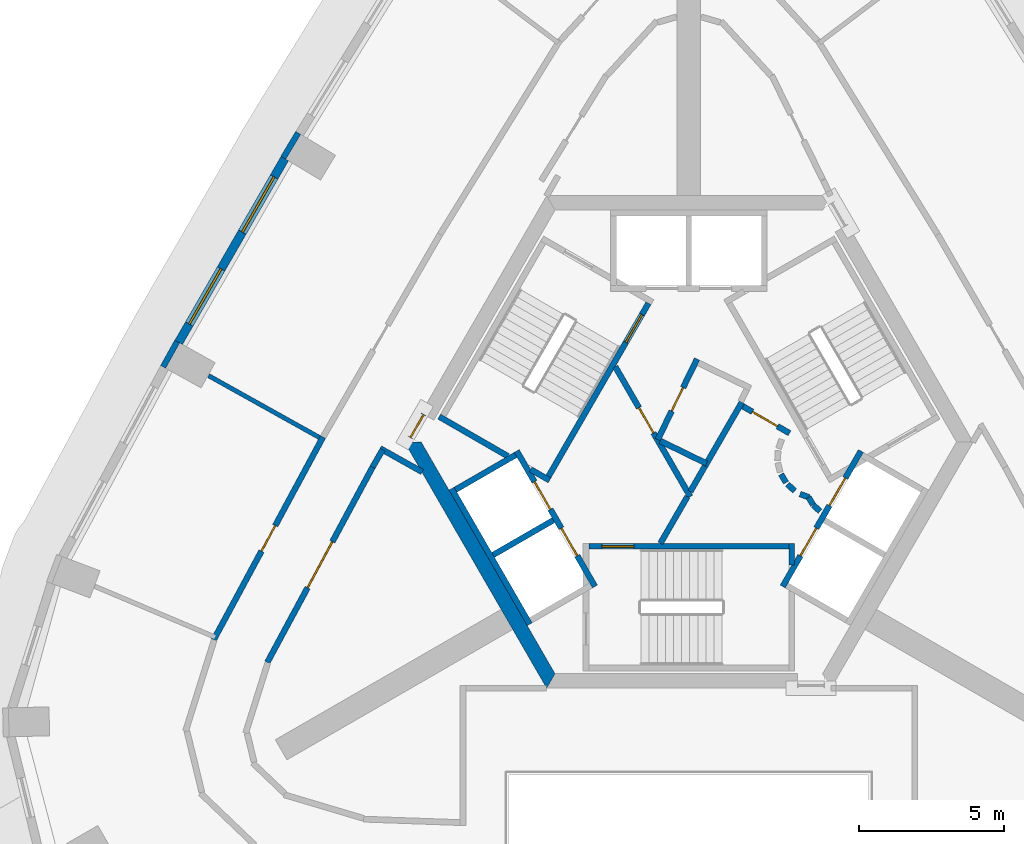
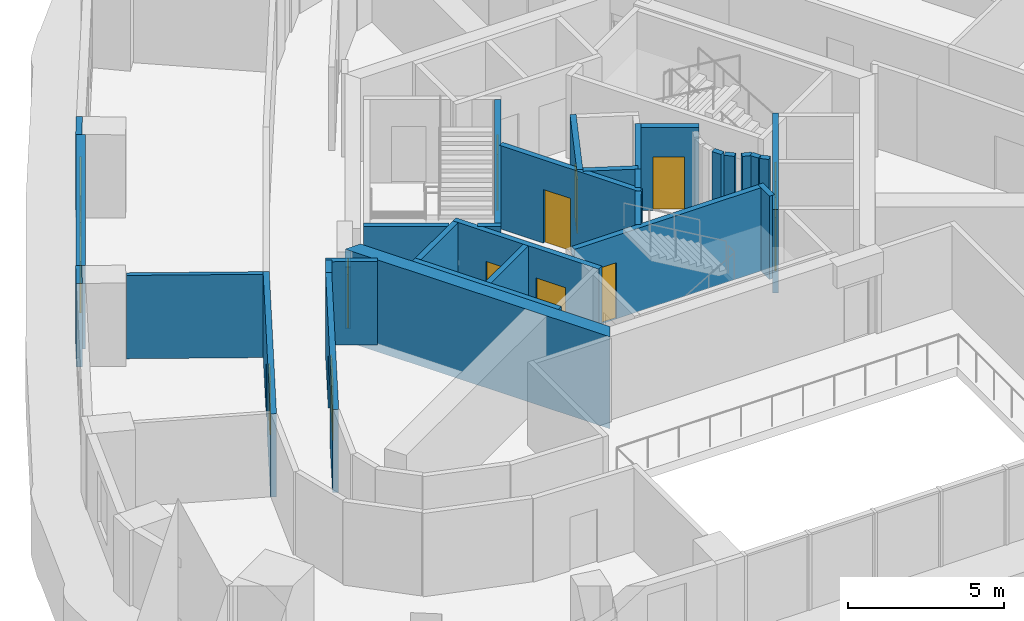
# One storey, part 4 of 11: 32 walls, 12 doors, 2 windows, 14 openings.
"""IFC4 building model written with IfcOpenShell, lengths in metres."""

from ifc_helpers import new_model, si_unit, direction, frame, frame_2d, origin, place, context, subcontext, project, spatial, polyline, rectangle, outline, extrude, material, layer, layer_set, type_object, element, fill, save


model = new_model("IFC4")

# Units and contexts
model_context = context("Model", 3, precision=1e-05, world=origin(), true_north=direction((0.0, 1.0)))
body_context = subcontext(model_context, "Body", "Model", "MODEL_VIEW")
ifc_project = project(units=[si_unit("LENGTHUNIT", "METRE"), si_unit("AREAUNIT", "SQUARE_METRE"), si_unit("VOLUMEUNIT", "CUBIC_METRE"), si_unit("PLANEANGLEUNIT", "RADIAN"), si_unit("MASSUNIT", "GRAM", prefix="KILO")], contexts=[model_context])

# Site, building, storey
site_placement = place(None, origin())
site = spatial("IfcSite", under=ifc_project, at=site_placement, CompositionType="ELEMENT")
building_placement = place(site_placement, origin())
building = spatial("IfcBuilding", under=site, at=building_placement, Name="Entoto Arch Interchange Tower", CompositionType="ELEMENT")
storey_placement = place(building_placement, frame((0.0, 0.0, 308.0)))
storey = spatial("IfcBuildingStorey", under=building, at=storey_placement, Name="L72", CompositionType="ELEMENT", Elevation=308.0)

# Wall, opening, door
ifc_material_1 = material(Name="Reinforced concrete C40/50", Category="concrete")
ifc_layer_1 = layer(ifc_material_1, 0.199951171875)
ifc_layer_set_1 = layer_set([ifc_layer_1], Name="Reinforced concrete C40/50")
wall_type_1 = type_object("IfcWallType", Name="CORE GAP INFILL WALL", PredefinedType="PARTITIONING", material=ifc_layer_set_1)
wall_1_placement = place(storey_placement, frame((-9.14990234375, 3.451904296875, 0.0), z_axis=(0.0, 0.0, 1.0), x_axis=(-0.500079945886, -0.865979242085, 0.0)))
wall_1 = element("IfcWall", 1, at=wall_1_placement, inside=storey, type_object=wall_type_1, Name="wall:L72:gap3", PredefinedType="PARTITIONING", context=body_context, shape_type="SweptSolid", body=[
    extrude(rectangle(XDim=0.926025390625, YDim=0.199951171875, at=frame_2d((0.462890625, 0.0))), origin(), (0.0, 0.0, 1.0), 2.39990234375),
])
opening_1_placement = place(wall_1_placement, frame((0.01708984375, 0.0, 0.0)))
opening_1 = element("IfcOpeningElement", 2, at=opening_1_placement, cuts=wall_1, Name="Opening L72-D93", PredefinedType="OPENING", context=body_context, shape_type="SweptSolid", body=[
    extrude(rectangle(XDim=0.89990234375, YDim=2.10009765625, at=frame_2d((0.449951171875, 1.050048828125))), frame((0.0, 0.10986328125, 0.0), z_axis=(0.0, -1.0, 0.0), x_axis=(1.0, 0.0, 0.0)), (0.0, 0.0, 1.0), 0.219970703125),
])
ifc_material_2 = material(Name="Fire-rated Steel S235 door and frame", Category="steel")
door_type_1 = type_object("IfcDoorType", Name="DOOR FD-09 900x2100", OperationType="SINGLE_SWING_LEFT", PredefinedType="DOOR", material=ifc_material_2)
door_1_placement = place(opening_1_placement, origin())
door_1 = element("IfcDoor", 3, at=door_1_placement, inside=storey, type_object=door_type_1, Name="door:L72:gap3", OperationType="SINGLE_SWING_LEFT", OverallHeight=2.10009765625, OverallWidth=0.89990234375, PredefinedType="DOOR", context=body_context, shape_type="SweptSolid", body=[
    extrude(rectangle(XDim=0.89990234375, YDim=2.10009765625, at=frame_2d((0.449951171875, 1.050048828125))), frame((0.0, 0.02490234375, 0.0), z_axis=(0.0, -1.0, 0.0), x_axis=(1.0, 0.0, 0.0)), (0.0, 0.0, 1.0), 0.050048828125),
])
fill(opening_1, door_1)

# Wall
ifc_material_3 = material(Name="Concrete C40/50", Category="concrete")
ifc_layer_2 = layer(ifc_material_3, 0.5)
ifc_layer_set_2 = layer_set([ifc_layer_2], Name="Concrete C40/50")
wall_type_2 = type_object("IfcWallType", Name="Core wall 500 C40/50", PredefinedType="SHEAR", material=ifc_layer_set_2)
wall_2_placement = place(storey_placement, frame((0.0, 0.0, -0.340087890625)))
element("IfcWall", 4, at=wall_2_placement, inside=storey, type_object=wall_type_2, Name="Core wall SW L72", PredefinedType="SHEAR", context=body_context, shape_type="SweptSolid", body=[
    extrude(outline(polyline([(-9.81494140625, 2.5), (-4.906982421875, -6.0), (-4.618896484375, -5.5), (-9.238037109375, 2.5), (-9.81494140625, 2.5)])), origin(), (0.0, 0.0, 1.0), 3.60009765625),
])

# Wall, openings, doors
ifc_layer_3 = layer(ifc_material_3, 0.199951171875)
ifc_layer_set_3 = layer_set([ifc_layer_3], Name="Concrete C40/50")
wall_type_3 = type_object("IfcWallType", Name="LIFT SHAFT WALL 200", PredefinedType="STANDARD", material=ifc_layer_set_3)
wall_3_placement = place(storey_placement, frame((-5.93994140625, 2.18798828125, 0.0), z_axis=(0.0, 0.0, 1.0), x_axis=(0.500034260056, -0.866005622828, 0.0)))
wall_3 = element("IfcWall", 5, at=wall_3_placement, inside=storey, type_object=wall_type_3, Name="Shaft wall SW1 front", PredefinedType="STANDARD", context=body_context, shape_type="SweptSolid", body=[
    extrude(rectangle(XDim=5.3994140625, YDim=0.199951171875, at=frame_2d((2.69970703125, 0.0))), origin(), (0.0, 0.0, 1.0), 3.260009765625),
])
opening_2_placement = place(wall_3_placement, frame((3.074951171875, 0.0, 0.0)))
opening_2 = element("IfcOpeningElement", 6, at=opening_2_placement, cuts=wall_3, Name="Opening LD-HR4-L72", PredefinedType="OPENING", context=body_context, shape_type="SweptSolid", body=[
    extrude(rectangle(XDim=1.10009765625, YDim=2.10009765625, at=frame_2d((0.550048828125, 1.050048828125))), frame((0.0, 0.10986328125, 0.0), z_axis=(0.0, -1.0, 0.0), x_axis=(1.0, 0.0, 0.0)), (0.0, 0.0, 1.0), 0.219970703125),
])
opening_3_placement = place(wall_3_placement, frame((1.22509765625, 0.0, 0.0)))
opening_3 = element("IfcOpeningElement", 7, at=opening_3_placement, cuts=wall_3, Name="Opening LD-FF2-L72", PredefinedType="OPENING", context=body_context, shape_type="SweptSolid", body=[
    extrude(rectangle(XDim=1.10009765625, YDim=2.10009765625, at=frame_2d((0.550048828125, 1.050048828125))), frame((0.0, 0.10986328125, 0.0), z_axis=(0.0, -1.0, 0.0), x_axis=(1.0, 0.0, 0.0)), (0.0, 0.0, 1.0), 0.219970703125),
])
ifc_material_4 = material(Name="Stainless steel 1.4301 panels", Category="steel")
door_type_2 = type_object("IfcDoorType", Name="LIFT LANDING DOOR LD1 1100x2100", OperationType="SLIDING_TO_LEFT", PredefinedType="DOOR", material=ifc_material_4)
door_2_placement = place(opening_2_placement, origin())
door_2 = element("IfcDoor", 8, at=door_2_placement, inside=storey, type_object=door_type_2, Name="Lift landing door HR4 L72", OperationType="SLIDING_TO_LEFT", OverallHeight=2.10009765625, OverallWidth=1.10009765625, PredefinedType="DOOR", context=body_context, shape_type="SweptSolid", body=[
    extrude(rectangle(XDim=1.10009765625, YDim=2.10009765625, at=frame_2d((0.550048828125, 1.050048828125))), frame((0.0, 0.02490234375, 0.0), z_axis=(0.0, -1.0, 0.0), x_axis=(1.0, 0.0, 0.0)), (0.0, 0.0, 1.0), 0.050048828125),
])
fill(opening_2, door_2)
door_3_placement = place(opening_3_placement, origin())
door_3 = element("IfcDoor", 9, at=door_3_placement, inside=storey, type_object=door_type_2, Name="Lift landing door FF2 L72", OperationType="SLIDING_TO_LEFT", OverallHeight=2.10009765625, OverallWidth=1.10009765625, PredefinedType="DOOR", context=body_context, shape_type="SweptSolid", body=[
    extrude(rectangle(XDim=1.10009765625, YDim=2.10009765625, at=frame_2d((0.550048828125, 1.050048828125))), frame((0.0, 0.02490234375, 0.0), z_axis=(0.0, -1.0, 0.0), x_axis=(1.0, 0.0, 0.0)), (0.0, 0.0, 1.0), 0.050048828125),
])
fill(opening_3, door_3)

# Walls
wall_4_placement = place(storey_placement, frame((-8.19189453125, 0.887939453125, 0.0), z_axis=(0.0, 0.0, 1.0), x_axis=(0.500034260056, -0.866005622828, 0.0)))
element("IfcWall", 10, at=wall_4_placement, inside=storey, type_object=wall_type_3, Name="Shaft wall SW1 back", PredefinedType="STANDARD", context=body_context, shape_type="SweptSolid", body=[
    extrude(rectangle(XDim=5.3994140625, YDim=0.199951171875, at=frame_2d((2.69970703125, 0.0))), origin(), (0.0, 0.0, 1.0), 3.260009765625),
])
for number, where, z_axis, x_axis, name in (
    (11, (-5.97705078125, 2.052001953125, 0.0), (0.0, 0.0, 1.0), (-0.865973769406, -0.500089422704, 0.0), "Shaft wall SW1 cross 1"),
    (12, (-4.677001953125, -0.199951171875, 0.0), (0.0, 0.0, 1.0), (-0.865973769406, -0.500089422704, 0.0), "Shaft wall SW1 cross 2"),
):
    element("IfcWall", number, at=place(storey_placement, frame(where, z_axis=z_axis, x_axis=x_axis)), inside=storey, type_object=wall_type_3, Name=name, PredefinedType="STANDARD", context=body_context, shape_type="SweptSolid", body=[
        extrude(rectangle(XDim=2.3994140625, YDim=0.199951171875, at=frame_2d((1.19970703125, 0.0))), origin(), (0.0, 0.0, 1.0), 3.260009765625),
    ])

# Wall, openings, doors
wall_5_placement = place(storey_placement, frame((3.239990234375, -2.488037109375, 0.0), z_axis=(0.0, 0.0, 1.0), x_axis=(0.500034260056, 0.866005622828, 0.0)))
wall_5 = element("IfcWall", 13, at=wall_5_placement, inside=storey, type_object=wall_type_3, Name="Shaft wall SE1 front", PredefinedType="STANDARD", context=body_context, shape_type="SweptSolid", body=[
    extrude(rectangle(XDim=5.3994140625, YDim=0.199951171875, at=frame_2d((2.69970703125, 0.0))), origin(), (0.0, 0.0, 1.0), 3.260009765625),
])
opening_4_placement = place(wall_5_placement, frame((3.22509765625, 0.0, 0.0)))
opening_4 = element("IfcOpeningElement", 14, at=opening_4_placement, cuts=wall_5, Name="Opening LD-HR3-L72", PredefinedType="OPENING", context=body_context, shape_type="SweptSolid", body=[
    extrude(rectangle(XDim=1.10009765625, YDim=2.10009765625, at=frame_2d((0.550048828125, 1.050048828125))), frame((0.0, 0.10986328125, 0.0), z_axis=(0.0, -1.0, 0.0), x_axis=(1.0, 0.0, 0.0)), (0.0, 0.0, 1.0), 0.219970703125),
])
opening_5_placement = place(wall_5_placement, frame((1.22509765625, 0.0, 0.0)))
opening_5 = element("IfcOpeningElement", 15, at=opening_5_placement, cuts=wall_5, Name="Opening LD-FF1-L72", PredefinedType="OPENING", context=body_context, shape_type="SweptSolid", body=[
    extrude(rectangle(XDim=1.10009765625, YDim=2.10009765625, at=frame_2d((0.550048828125, 1.050048828125))), frame((0.0, 0.10986328125, 0.0), z_axis=(0.0, -1.0, 0.0), x_axis=(1.0, 0.0, 0.0)), (0.0, 0.0, 1.0), 0.219970703125),
])
door_4_placement = place(opening_4_placement, origin())
door_4 = element("IfcDoor", 16, at=door_4_placement, inside=storey, type_object=door_type_2, Name="Lift landing door HR3 L72", OperationType="SLIDING_TO_LEFT", OverallHeight=2.10009765625, OverallWidth=1.10009765625, PredefinedType="DOOR", context=body_context, shape_type="SweptSolid", body=[
    extrude(rectangle(XDim=1.10009765625, YDim=2.10009765625, at=frame_2d((0.550048828125, 1.050048828125))), frame((0.0, 0.02490234375, 0.0), z_axis=(0.0, -1.0, 0.0), x_axis=(1.0, 0.0, 0.0)), (0.0, 0.0, 1.0), 0.050048828125),
])
fill(opening_4, door_4)
door_5_placement = place(opening_5_placement, origin())
door_5 = element("IfcDoor", 17, at=door_5_placement, inside=storey, type_object=door_type_2, Name="Lift landing door FF1 L72", OperationType="SLIDING_TO_LEFT", OverallHeight=2.10009765625, OverallWidth=1.10009765625, PredefinedType="DOOR", context=body_context, shape_type="SweptSolid", body=[
    extrude(rectangle(XDim=1.10009765625, YDim=2.10009765625, at=frame_2d((0.550048828125, 1.050048828125))), frame((0.0, 0.02490234375, 0.0), z_axis=(0.0, -1.0, 0.0), x_axis=(1.0, 0.0, 0.0)), (0.0, 0.0, 1.0), 0.050048828125),
])
fill(opening_5, door_5)

# Walls
ifc_material_5 = material(Name="Gypsum board partition on steel studs", Category="steel")
ifc_layer_4 = layer(ifc_material_5, 0.14990234375)
ifc_layer_set_4 = layer_set([ifc_layer_4], Name="Gypsum board partition on steel studs")
wall_type_4 = type_object("IfcWallType", Name="PARTITION 150", PredefinedType="PARTITIONING", material=ifc_layer_set_4)
wall_6_placement = place(storey_placement, frame((-12.7509765625, 2.654052734375, 0.0), z_axis=(0.0, 0.0, 1.0), x_axis=(-0.873277679945, 0.487222837837, 0.0)))
element("IfcWall", 18, at=wall_6_placement, inside=storey, type_object=wall_type_4, Name="wall:L72:p073", PredefinedType="PARTITIONING", context=body_context, shape_type="SweptSolid", body=[
    extrude(rectangle(XDim=4.3798828125, YDim=0.14990234375, at=frame_2d((2.18994140625, 0.0))), origin(), (0.0, 0.0, 1.0), 3.260009765625),
])
ifc_layer_5 = layer(ifc_material_5, 0.199951171875)
ifc_layer_set_5 = layer_set([ifc_layer_5], Name="Gypsum board partition on steel studs")
wall_type_5 = type_object("IfcWallType", Name="PARTITION 200", PredefinedType="PARTITIONING", material=ifc_layer_set_5)
wall_7_placement = place(storey_placement, frame((0.56005859375, 1.6708984375, 0.0), z_axis=(0.0, 0.0, 1.0), x_axis=(0.500008334558, 0.866020591771, 0.0)))
element("IfcWall", 19, at=wall_7_placement, inside=storey, type_object=wall_type_5, Name="wall:L72:p001", PredefinedType="PARTITIONING", context=body_context, shape_type="SweptSolid", body=[
    extrude(rectangle(XDim=2.5380859375, YDim=0.199951171875, at=frame_2d((1.26904296875, 0.0))), origin(), (0.0, 0.0, 1.0), 3.260009765625),
])

# Wall, opening, door
wall_8_placement = place(storey_placement, frame((0.284912109375, 5.364990234375, 0.0), z_axis=(0.0, 0.0, 1.0), x_axis=(-0.43840190643, -0.898779043168, 0.0)))
wall_8 = element("IfcWall", 20, at=wall_8_placement, inside=storey, type_object=wall_type_5, Name="wall:L72:p004", PredefinedType="PARTITIONING", context=body_context, shape_type="SweptSolid", body=[
    extrude(rectangle(XDim=3.099609375, YDim=0.199951171875, at=frame_2d((1.5498046875, 0.0))), origin(), (0.0, 0.0, 1.0), 3.260009765625),
])
opening_6_placement = place(wall_8_placement, frame((1.10009765625, 0.0, 0.0)))
opening_6 = element("IfcOpeningElement", 21, at=opening_6_placement, cuts=wall_8, Name="Opening L72-D14", PredefinedType="OPENING", context=body_context, shape_type="SweptSolid", body=[
    extrude(rectangle(XDim=0.89990234375, YDim=2.10009765625, at=frame_2d((0.449951171875, 1.050048828125))), frame((0.0, 0.10986328125, 0.0), z_axis=(0.0, -1.0, 0.0), x_axis=(1.0, 0.0, 0.0)), (0.0, 0.0, 1.0), 0.219970703125),
])
ifc_material_6 = material(Name="Timber door leaf in Steel S235 frame", Category="steel")
door_type_3 = type_object("IfcDoorType", Name="DOOR DS-09 900x2100", OperationType="SINGLE_SWING_LEFT", PredefinedType="DOOR", material=ifc_material_6)
door_6_placement = place(opening_6_placement, origin())
door_6 = element("IfcDoor", 22, at=door_6_placement, inside=storey, type_object=door_type_3, Name="door:L72:14", OperationType="SINGLE_SWING_RIGHT", OverallHeight=2.10009765625, OverallWidth=0.89990234375, PredefinedType="DOOR", context=body_context, shape_type="SweptSolid", body=[
    extrude(rectangle(XDim=0.89990234375, YDim=2.10009765625, at=frame_2d((0.449951171875, 1.050048828125))), frame((0.0, 0.02490234375, 0.0), z_axis=(0.0, -1.0, 0.0), x_axis=(1.0, 0.0, 0.0)), (0.0, 0.0, 1.0), 0.050048828125),
])
fill(opening_6, door_6)

# Walls
wall_9_placement = place(storey_placement, frame((-0.98388671875, 2.534912109375, 0.0), z_axis=(0.0, 0.0, 1.0), x_axis=(0.898707583217, -0.438548378025, 0.0)))
element("IfcWall", 23, at=wall_9_placement, inside=storey, type_object=wall_type_5, Name="wall:L72:p005", PredefinedType="PARTITIONING", context=body_context, shape_type="SweptSolid", body=[
    extrude(rectangle(XDim=1.773681640625, YDim=0.199951171875, at=frame_2d((0.88671875, 0.0))), origin(), (0.0, 0.0, 1.0), 3.260009765625),
])
wall_10_placement = place(storey_placement, frame((-9.202880859375, 1.465087890625, 0.0), z_axis=(0.0, 0.0, 1.0), x_axis=(-0.872341127106, 0.488897696823, 0.0)))
element("IfcWall", 24, at=wall_10_placement, inside=storey, type_object=wall_type_5, Name="wall:L72:p022", PredefinedType="PARTITIONING", context=body_context, shape_type="SweptSolid", body=[
    extrude(rectangle(XDim=1.6669921875, YDim=0.199951171875, at=frame_2d((0.83349609375, 0.0))), origin(), (0.0, 0.0, 1.0), 3.260009765625),
])
wall_11_placement = place(storey_placement, frame((-10.570068359375, 2.23193359375, 0.0), z_axis=(0.0, 0.0, 1.0), x_axis=(-0.500037208726, -0.86600392025, 0.0)))
element("IfcWall", 25, at=wall_11_placement, inside=storey, type_object=wall_type_5, Name="wall:L72:p023", PredefinedType="PARTITIONING", context=body_context, shape_type="SweptSolid", body=[
    extrude(rectangle(XDim=0.69384765625, YDim=0.199951171875, at=frame_2d((0.346923828125, 0.0))), origin(), (0.0, 0.0, 1.0), 3.260009765625),
])

# Wall, opening, door
wall_12_placement = place(storey_placement, frame((-10.9169921875, 1.631103515625, 0.0), z_axis=(0.0, 0.0, 1.0), x_axis=(-0.47449538478, -0.880257990491, 0.0)))
wall_12 = element("IfcWall", 26, at=wall_12_placement, inside=storey, type_object=wall_type_5, Name="wall:L72:p024", PredefinedType="PARTITIONING", context=body_context, shape_type="SweptSolid", body=[
    extrude(rectangle(XDim=7.654541015625, YDim=0.199951171875, at=frame_2d((3.8271484375, 0.0))), origin(), (0.0, 0.0, 1.0), 3.260009765625),
])
opening_7_placement = place(wall_12_placement, frame((2.927001953125, 0.0, 0.0)))
opening_7 = element("IfcOpeningElement", 27, at=opening_7_placement, cuts=wall_12, Name="Opening L72-D11", PredefinedType="OPENING", context=body_context, shape_type="SweptSolid", body=[
    extrude(rectangle(XDim=1.800048828125, YDim=2.10009765625, at=frame_2d((0.89990234375, 1.050048828125))), frame((0.0, 0.10986328125, 0.0), z_axis=(0.0, -1.0, 0.0), x_axis=(1.0, 0.0, 0.0)), (0.0, 0.0, 1.0), 0.219970703125),
])
door_type_4 = type_object("IfcDoorType", Name="DOOR DD-18 1800x2100", OperationType="DOUBLE_DOOR_SINGLE_SWING", PredefinedType="DOOR", material=ifc_material_6)
door_7_placement = place(opening_7_placement, origin())
door_7 = element("IfcDoor", 28, at=door_7_placement, inside=storey, type_object=door_type_4, Name="door:L72:11", OperationType="DOUBLE_DOOR_SINGLE_SWING", OverallHeight=2.10009765625, OverallWidth=1.800048828125, PredefinedType="DOOR", context=body_context, shape_type="SweptSolid", body=[
    extrude(rectangle(XDim=1.800048828125, YDim=2.10009765625, at=frame_2d((0.89990234375, 1.050048828125))), frame((0.0, 0.02490234375, 0.0), z_axis=(0.0, -1.0, 0.0), x_axis=(1.0, 0.0, 0.0)), (0.0, 0.0, 1.0), 0.050048828125),
])
fill(opening_7, door_7)

wall_13_placement = place(storey_placement, frame((-16.39892578125, -4.324951171875, 0.0), z_axis=(0.0, 0.0, 1.0), x_axis=(0.474489967676, 0.880260910512, 0.0)))
wall_13 = element("IfcWall", 29, at=wall_13_placement, inside=storey, type_object=wall_type_5, Name="wall:L72:p044", PredefinedType="PARTITIONING", context=body_context, shape_type="SweptSolid", body=[
    extrude(rectangle(XDim=7.947509765625, YDim=0.199951171875, at=frame_2d((3.9736328125, 0.0))), origin(), (0.0, 0.0, 1.0), 3.260009765625),
])
opening_8_placement = place(wall_13_placement, frame((3.47412109375, 0.0, 0.0)))
opening_8 = element("IfcOpeningElement", 30, at=opening_8_placement, cuts=wall_13, Name="Opening L72-D06", PredefinedType="OPENING", context=body_context, shape_type="SweptSolid", body=[
    extrude(rectangle(XDim=1.0, YDim=2.10009765625, at=frame_2d((0.5, 1.050048828125))), frame((0.0, 0.10986328125, 0.0), z_axis=(0.0, -1.0, 0.0), x_axis=(1.0, 0.0, 0.0)), (0.0, 0.0, 1.0), 0.219970703125),
])
door_type_5 = type_object("IfcDoorType", Name="DOOR DS-10 1000x2100", OperationType="SINGLE_SWING_LEFT", PredefinedType="DOOR", material=ifc_material_6)
door_8_placement = place(opening_8_placement, origin())
door_8 = element("IfcDoor", 31, at=door_8_placement, inside=storey, type_object=door_type_5, Name="door:L72:06", OperationType="SINGLE_SWING_LEFT", OverallHeight=2.10009765625, OverallWidth=1.0, PredefinedType="DOOR", context=body_context, shape_type="SweptSolid", body=[
    extrude(rectangle(XDim=1.0, YDim=2.10009765625, at=frame_2d((0.5, 1.050048828125))), frame((0.0, 0.02490234375, 0.0), z_axis=(0.0, -1.0, 0.0), x_axis=(1.0, 0.0, 0.0)), (0.0, 0.0, 1.0), 0.050048828125),
])
fill(opening_8, door_8)

# Walls
wall_14_placement = place(storey_placement, frame((-0.98193359375, -1.0, 0.0), z_axis=(0.0, 0.0, 1.0), x_axis=(0.50024047865, 0.865886518847, 0.0)))
element("IfcWall", 32, at=wall_14_placement, inside=storey, type_object=wall_type_5, Name="wall:L72:p050", PredefinedType="PARTITIONING", context=body_context, shape_type="SweptSolid", body=[
    extrude(rectangle(XDim=1.86279296875, YDim=0.199951171875, at=frame_2d((0.931396484375, 0.0))), origin(), (0.0, 0.0, 1.0), 3.260009765625),
])
wall_15_placement = place(storey_placement, frame((0.050048828125, 0.787109375, 0.0), z_axis=(0.0, 0.0, 1.0), x_axis=(0.499819111317, 0.866129814729, 0.0)))
element("IfcWall", 33, at=wall_15_placement, inside=storey, type_object=wall_type_5, Name="wall:L72:p051", PredefinedType="PARTITIONING", context=body_context, shape_type="SweptSolid", body=[
    extrude(rectangle(XDim=1.0205078125, YDim=0.199951171875, at=frame_2d((0.51025390625, 0.0))), origin(), (0.0, 0.0, 1.0), 3.260009765625),
])

# Wall, opening, door
wall_16_placement = place(storey_placement, frame((1.865966796875, 3.73193359375, 0.0), z_axis=(0.0, 0.0, 1.0), x_axis=(0.866043361281, -0.499968895414, 0.0)))
wall_16 = element("IfcWall", 34, at=wall_16_placement, inside=storey, type_object=wall_type_5, Name="wall:L72:p052", PredefinedType="PARTITIONING", context=body_context, shape_type="SweptSolid", body=[
    extrude(rectangle(XDim=1.85791015625, YDim=0.199951171875, at=frame_2d((0.928955078125, 0.0))), origin(), (0.0, 0.0, 1.0), 3.260009765625),
])
opening_9_placement = place(wall_16_placement, frame((0.37890625, 0.0, 0.0)))
opening_9 = element("IfcOpeningElement", 35, at=opening_9_placement, cuts=wall_16, Name="Opening L72-D12", PredefinedType="OPENING", context=body_context, shape_type="SweptSolid", body=[
    extrude(rectangle(XDim=1.0, YDim=2.10009765625, at=frame_2d((0.5, 1.050048828125))), frame((0.0, 0.10986328125, 0.0), z_axis=(0.0, -1.0, 0.0), x_axis=(1.0, 0.0, 0.0)), (0.0, 0.0, 1.0), 0.219970703125),
])
door_type_6 = type_object("IfcDoorType", Name="DOOR FD-10 1000x2100", OperationType="SINGLE_SWING_LEFT", PredefinedType="DOOR", material=ifc_material_2)
door_9_placement = place(opening_9_placement, origin())
door_9 = element("IfcDoor", 36, at=door_9_placement, inside=storey, type_object=door_type_6, Name="door:L72:12", OperationType="SINGLE_SWING_LEFT", OverallHeight=2.10009765625, OverallWidth=1.0, PredefinedType="DOOR", context=body_context, shape_type="SweptSolid", body=[
    extrude(rectangle(XDim=1.0, YDim=2.10009765625, at=frame_2d((0.5, 1.050048828125))), frame((0.0, 0.02490234375, 0.0), z_axis=(0.0, -1.0, 0.0), x_axis=(1.0, 0.0, 0.0)), (0.0, 0.0, 1.0), 0.050048828125),
])
fill(opening_9, door_9)

# Walls
for number, where, z_axis, x_axis, name in (
    (37, (3.181884765625, 1.387939453125, 0.0), (0.0, 0.0, 1.0), (0.512474702713, -0.85870232274, 0.0), "wall:L72:p056"),
    (38, (3.404052734375, 1.0390625, 0.0), (0.0, 0.0, 1.0), (0.740267097712, -0.672312891476, 0.0), "wall:L72:p057"),
):
    element("IfcWall", number, at=place(storey_placement, frame(where, z_axis=z_axis, x_axis=x_axis)), inside=storey, type_object=wall_type_5, Name=name, PredefinedType="PARTITIONING", context=body_context, shape_type="SweptSolid", body=[
        extrude(rectangle(XDim=0.337646484375, YDim=0.199951171875, at=frame_2d((0.1689453125, 0.0))), origin(), (0.0, 0.0, 1.0), 3.260009765625),
    ])
wall_17_placement = place(storey_placement, frame((3.837890625, 0.701904296875, 0.0), z_axis=(0.0, 0.0, 1.0), x_axis=(0.941035081519, -0.338308993895, 0.0)))
element("IfcWall", 39, at=wall_17_placement, inside=storey, type_object=wall_type_5, Name="wall:L72:p058", PredefinedType="PARTITIONING", context=body_context, shape_type="SweptSolid", body=[
    extrude(rectangle(XDim=0.3369140625, YDim=0.199951171875, at=frame_2d((0.16845703125, 0.0))), origin(), (0.0, 0.0, 1.0), 3.260009765625),
])
wall_18_placement = place(storey_placement, frame((4.132080078125, 0.593017578125, 0.0), z_axis=(0.0, 0.0, 1.0), x_axis=(0.513561617048, -0.858052717201, 0.0)))
element("IfcWall", 40, at=wall_18_placement, inside=storey, type_object=wall_type_5, Name="wall:L72:p059", PredefinedType="PARTITIONING", context=body_context, shape_type="SweptSolid", body=[
    extrude(rectangle(XDim=0.3076171875, YDim=0.199951171875, at=frame_2d((0.15380859375, 0.0))), origin(), (0.0, 0.0, 1.0), 3.260009765625),
])
wall_19_placement = place(storey_placement, frame((4.301025390625, 0.31494140625, 0.0), z_axis=(0.0, 0.0, 1.0), x_axis=(0.741798017506, -0.670623367639, 0.0)))
element("IfcWall", 41, at=wall_19_placement, inside=storey, type_object=wall_type_5, Name="wall:L72:p060", PredefinedType="PARTITIONING", context=body_context, shape_type="SweptSolid", body=[
    extrude(rectangle(XDim=0.30859375, YDim=0.199951171875, at=frame_2d((0.154296875, 0.0))), origin(), (0.0, 0.0, 1.0), 3.260009765625),
])

# Wall, opening, door
wall_20_placement = place(storey_placement, frame((-2.5400390625, 5.10009765625, 0.0), z_axis=(0.0, 0.0, 1.0), x_axis=(0.499925051871, -0.866068670783, 0.0)))
wall_20 = element("IfcWall", 42, at=wall_20_placement, inside=storey, type_object=wall_type_5, Name="wall:L72:p061", PredefinedType="PARTITIONING", context=body_context, shape_type="SweptSolid", body=[
    extrude(rectangle(XDim=5.180908203125, YDim=0.199951171875, at=frame_2d((2.59033203125, 0.0))), origin(), (0.0, 0.0, 1.0), 3.260009765625),
])
opening_10_placement = place(wall_20_placement, frame((1.639892578125, 0.0, 0.0)))
opening_10 = element("IfcOpeningElement", 43, at=opening_10_placement, cuts=wall_20, Name="Opening L72-D13", PredefinedType="OPENING", context=body_context, shape_type="SweptSolid", body=[
    extrude(rectangle(XDim=1.0, YDim=2.10009765625, at=frame_2d((0.5, 1.050048828125))), frame((0.0, 0.10986328125, 0.0), z_axis=(0.0, -1.0, 0.0), x_axis=(1.0, 0.0, 0.0)), (0.0, 0.0, 1.0), 0.219970703125),
])
door_10_placement = place(opening_10_placement, origin())
door_10 = element("IfcDoor", 44, at=door_10_placement, inside=storey, type_object=door_type_6, Name="door:L72:13", OperationType="SINGLE_SWING_RIGHT", OverallHeight=2.10009765625, OverallWidth=1.0, PredefinedType="DOOR", context=body_context, shape_type="SweptSolid", body=[
    extrude(rectangle(XDim=1.0, YDim=2.10009765625, at=frame_2d((0.5, 1.050048828125))), frame((0.0, 0.02490234375, 0.0), z_axis=(0.0, -1.0, 0.0), x_axis=(1.0, 0.0, 0.0)), (0.0, 0.0, 1.0), 0.050048828125),
])
fill(opening_10, door_10)

# Wall
ifc_layer_6 = layer(ifc_material_3, 0.199951171875)
ifc_layer_set_6 = layer_set([ifc_layer_6], Name="Concrete C40/50")
wall_type_6 = type_object("IfcWallType", Name="STAIR ENCLOSURE WALL 200", PredefinedType="STANDARD", material=ifc_layer_set_6)
wall_21_placement = place(storey_placement, frame((3.550048828125, -1.0, 0.0), z_axis=(0.0, 0.0, 1.0), x_axis=(0.0, -1.0, 0.0)))
element("IfcWall", 45, at=wall_21_placement, inside=storey, type_object=wall_type_6, Name="Stair wall ST-S far return", PredefinedType="STANDARD", context=body_context, shape_type="SweptSolid", body=[
    extrude(rectangle(XDim=0.7509765625, YDim=0.199951171875, at=frame_2d((0.37548828125, 0.0))), origin(), (0.0, 0.0, 1.0), 3.260009765625),
])

# Wall, opening, door
wall_22_placement = place(storey_placement, frame((-3.449951171875, -1.10009765625, 0.0), z_axis=(0.0, 0.0, 1.0), x_axis=(1.0, 0.0, 0.0)))
wall_22 = element("IfcWall", 46, at=wall_22_placement, inside=storey, type_object=wall_type_6, Name="Stair wall ST-S hall", PredefinedType="STANDARD", context=body_context, shape_type="SweptSolid", body=[
    extrude(rectangle(XDim=6.89990234375, YDim=0.199951171875, at=frame_2d((3.449951171875, 0.0))), origin(), (0.0, 0.0, 1.0), 3.260009765625),
])
opening_11_placement = place(wall_22_placement, frame((0.449951171875, 0.0, 0.0)))
opening_11 = element("IfcOpeningElement", 47, at=opening_11_placement, cuts=wall_22, Name="Opening SD-ST-S-L72", PredefinedType="OPENING", context=body_context, shape_type="SweptSolid", body=[
    extrude(rectangle(XDim=1.10009765625, YDim=2.199951171875, at=frame_2d((0.550048828125, 1.10009765625))), frame((0.0, 0.10986328125, 0.0), z_axis=(0.0, -1.0, 0.0), x_axis=(1.0, 0.0, 0.0)), (0.0, 0.0, 1.0), 0.219970703125),
])
ifc_material_7 = material(Name="Steel S235", Category="steel")
door_type_7 = type_object("IfcDoorType", Name="STAIR DOOR SD1 1100x2200", OperationType="SINGLE_SWING_LEFT", PredefinedType="DOOR", material=ifc_material_7)
door_11_placement = place(opening_11_placement, origin())
door_11 = element("IfcDoor", 48, at=door_11_placement, inside=storey, type_object=door_type_7, Name="Stair door ST-S L72", OperationType="SINGLE_SWING_LEFT", OverallHeight=2.199951171875, OverallWidth=1.10009765625, PredefinedType="DOOR", context=body_context, shape_type="SweptSolid", body=[
    extrude(rectangle(XDim=1.10009765625, YDim=2.199951171875, at=frame_2d((0.550048828125, 1.10009765625))), frame((0.0, 0.02490234375, 0.0), z_axis=(0.0, -1.0, 0.0), x_axis=(1.0, 0.0, 0.0)), (0.0, 0.0, 1.0), 0.050048828125),
])
fill(opening_11, door_11)

# Walls
wall_23_placement = place(storey_placement, frame((-6.25, 2.010009765625, 0.0), z_axis=(0.0, 0.0, 1.0), x_axis=(-0.86611865017, 0.499838457731, 0.0)))
element("IfcWall", 49, at=wall_23_placement, inside=storey, type_object=wall_type_6, Name="Stair wall ST-NW far", PredefinedType="STANDARD", context=body_context, shape_type="SweptSolid", body=[
    extrude(rectangle(XDim=2.73291015625, YDim=0.199951171875, at=frame_2d((1.366455078125, 0.0))), origin(), (0.0, 0.0, 1.0), 3.260009765625),
])
wall_24_placement = place(storey_placement, frame((-4.805908203125, 1.176025390625, 0.0), z_axis=(0.0, 0.0, 1.0), x_axis=(-0.866558586415, 0.499075361355, 0.0)))
element("IfcWall", 50, at=wall_24_placement, inside=storey, type_object=wall_type_6, Name="Stair wall ST-NW far return", PredefinedType="STANDARD", context=body_context, shape_type="SweptSolid", body=[
    extrude(rectangle(XDim=0.75146484375, YDim=0.199951171875, at=frame_2d((0.375732421875, 0.0))), origin(), (0.0, 0.0, 1.0), 3.260009765625),
])

# Wall, opening, door
wall_25_placement = place(storey_placement, frame((-1.39306640625, 7.2880859375, 0.0), z_axis=(0.0, 0.0, 1.0), x_axis=(-0.499963383562, -0.866046543262, 0.0)))
wall_25 = element("IfcWall", 51, at=wall_25_placement, inside=storey, type_object=wall_type_6, Name="Stair wall ST-NW hall", PredefinedType="STANDARD", context=body_context, shape_type="SweptSolid", body=[
    extrude(rectangle(XDim=6.900390625, YDim=0.199951171875, at=frame_2d((3.4501953125, 0.0))), origin(), (0.0, 0.0, 1.0), 3.260009765625),
])
opening_12_placement = place(wall_25_placement, frame((0.449951171875, 0.0, 0.0)))
opening_12 = element("IfcOpeningElement", 52, at=opening_12_placement, cuts=wall_25, Name="Opening SD-ST-NW-L72", PredefinedType="OPENING", context=body_context, shape_type="SweptSolid", body=[
    extrude(rectangle(XDim=1.10009765625, YDim=2.199951171875, at=frame_2d((0.550048828125, 1.10009765625))), frame((0.0, 0.10986328125, 0.0), z_axis=(0.0, -1.0, 0.0), x_axis=(1.0, 0.0, 0.0)), (0.0, 0.0, 1.0), 0.219970703125),
])
door_12_placement = place(opening_12_placement, origin())
door_12 = element("IfcDoor", 53, at=door_12_placement, inside=storey, type_object=door_type_7, Name="Stair door ST-NW L72", OperationType="SINGLE_SWING_LEFT", OverallHeight=2.199951171875, OverallWidth=1.10009765625, PredefinedType="DOOR", context=body_context, shape_type="SweptSolid", body=[
    extrude(rectangle(XDim=1.10009765625, YDim=2.199951171875, at=frame_2d((0.550048828125, 1.10009765625))), frame((0.0, 0.02490234375, 0.0), z_axis=(0.0, -1.0, 0.0), x_axis=(1.0, 0.0, 0.0)), (0.0, 0.0, 1.0), 0.050048828125),
])
fill(opening_12, door_12)

# Wall, openings, windows
ifc_material_8 = material(Name="Welded tuff (ignimbrite) cladding, warm buff", Category="masonry")
ifc_layer_7 = layer(ifc_material_8, 0.300048828125)
ifc_layer_set_7 = layer_set([ifc_layer_7], Name="Welded tuff (ignimbrite) cladding, warm buff")
wall_type_7 = type_object("IfcWallType", Name="STONE INFILL WALL 300", PredefinedType="STANDARD", material=ifc_layer_set_7)
wall_26_placement = place(storey_placement, frame((-13.947021484375, 12.282958984375, 0.0), z_axis=(0.0, 0.0, 1.0), x_axis=(-0.499923391538, -0.866069629183, 0.0)))
wall_26 = element("IfcWall", 54, at=wall_26_placement, inside=storey, type_object=wall_type_7, Name="Facade wall NW-02 L72", PredefinedType="STANDARD", context=body_context, shape_type="SweptSolid", body=[
    extrude(rectangle(XDim=7.327392578125, YDim=0.300048828125, at=frame_2d((3.66357421875, 0.0))), origin(), (0.0, 0.0, 1.0), 3.260009765625),
])
opening_13_placement = place(wall_26_placement, frame((0.73193359375, 0.0, 0.89990234375)))
opening_13 = element("IfcOpeningElement", 55, at=opening_13_placement, cuts=wall_26, Name="Opening WH-A", PredefinedType="OPENING", context=body_context, shape_type="SweptSolid", body=[
    extrude(rectangle(XDim=2.199951171875, YDim=2.0, at=frame_2d((1.10009765625, 1.0))), frame((0.0, 0.16015625, 0.0), z_axis=(0.0, -1.0, 0.0), x_axis=(1.0, 0.0, 0.0)), (0.0, 0.0, 1.0), 0.320068359375),
])
opening_14_placement = place(wall_26_placement, frame((4.39501953125, 0.0, 0.89990234375)))
opening_14 = element("IfcOpeningElement", 56, at=opening_14_placement, cuts=wall_26, Name="Opening WH-A", PredefinedType="OPENING", context=body_context, shape_type="SweptSolid", body=[
    extrude(rectangle(XDim=2.199951171875, YDim=2.0, at=frame_2d((1.10009765625, 1.0))), frame((0.0, 0.16015625, 0.0), z_axis=(0.0, -1.0, 0.0), x_axis=(1.0, 0.0, 0.0)), (0.0, 0.0, 1.0), 0.320068359375),
])
ifc_material_9 = material(Name="Clear glass, low-e double glazed", Category="glass")
window_type = type_object("IfcWindowType", Name="WINDOW WH-A 2200x2000", PartitioningType="DOUBLE_PANEL_VERTICAL", PredefinedType="WINDOW", material=ifc_material_9)
window_1_placement = place(opening_13_placement, origin())
window_1 = element("IfcWindow", 57, at=window_1_placement, inside=storey, type_object=window_type, Name="Window WH-A NW-02 L72", OverallHeight=2.0, OverallWidth=2.199951171875, PartitioningType="SINGLE_PANEL", PredefinedType="WINDOW", context=body_context, shape_type="SweptSolid", body=[
    extrude(rectangle(XDim=2.199951171875, YDim=2.0, at=frame_2d((1.10009765625, 1.0))), frame((0.0, 0.030029296875, 0.0), z_axis=(0.0, -1.0, 0.0), x_axis=(1.0, 0.0, 0.0)), (0.0, 0.0, 1.0), 0.06005859375),
])
fill(opening_13, window_1)
window_2_placement = place(opening_14_placement, origin())
window_2 = element("IfcWindow", 58, at=window_2_placement, inside=storey, type_object=window_type, Name="Window WH-A NW-02 L72", OverallHeight=2.0, OverallWidth=2.199951171875, PartitioningType="SINGLE_PANEL", PredefinedType="WINDOW", context=body_context, shape_type="SweptSolid", body=[
    extrude(rectangle(XDim=2.199951171875, YDim=2.0, at=frame_2d((1.10009765625, 1.0))), frame((0.0, 0.030029296875, 0.0), z_axis=(0.0, -1.0, 0.0), x_axis=(1.0, 0.0, 0.0)), (0.0, 0.0, 1.0), 0.06005859375),
])
fill(opening_14, window_2)

# Walls
ifc_layer_8 = layer(ifc_material_8, 0.199951171875)
ifc_layer_set_8 = layer_set([ifc_layer_8], Name="Welded tuff (ignimbrite) cladding, warm buff")
wall_type_8 = type_object("IfcWallType", Name="STONE PIER CLADDING 200", PredefinedType="STANDARD", material=ifc_layer_set_8)
wall_27_placement = place(storey_placement, frame((-13.48291015625, 13.169921875, 0.0), z_axis=(0.0, 0.0, 1.0), x_axis=(-0.514064933905, -0.857751271482, 0.0)))
element("IfcWall", 59, at=wall_27_placement, inside=storey, type_object=wall_type_8, Name="Stone pier NW02 L72", PredefinedType="STANDARD", context=body_context, shape_type="SweptSolid", body=[
    extrude(rectangle(XDim=1.000244140625, YDim=0.199951171875, at=frame_2d((0.5, 0.0))), origin(), (0.0, 0.0, 1.0), 3.260009765625),
])
wall_28_placement = place(storey_placement, frame((-17.660888671875, 5.966064453125, 0.0), z_axis=(0.0, 0.0, 1.0), x_axis=(-0.486036693078, -0.873938403425, 0.0)))
element("IfcWall", 60, at=wall_28_placement, inside=storey, type_object=wall_type_8, Name="Stone pier NW03 L72", PredefinedType="STANDARD", context=body_context, shape_type="SweptSolid", body=[
    extrude(rectangle(XDim=1.0, YDim=0.199951171875, at=frame_2d((0.5, 0.0))), origin(), (0.0, 0.0, 1.0), 3.260009765625),
])

save(model, "model.ifc")
